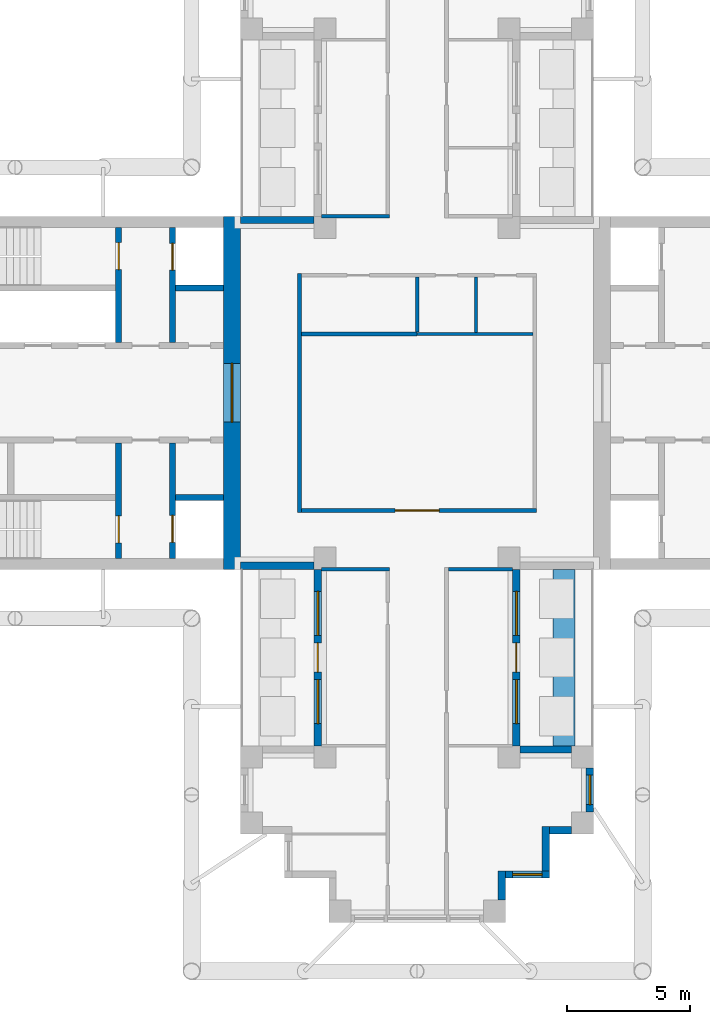
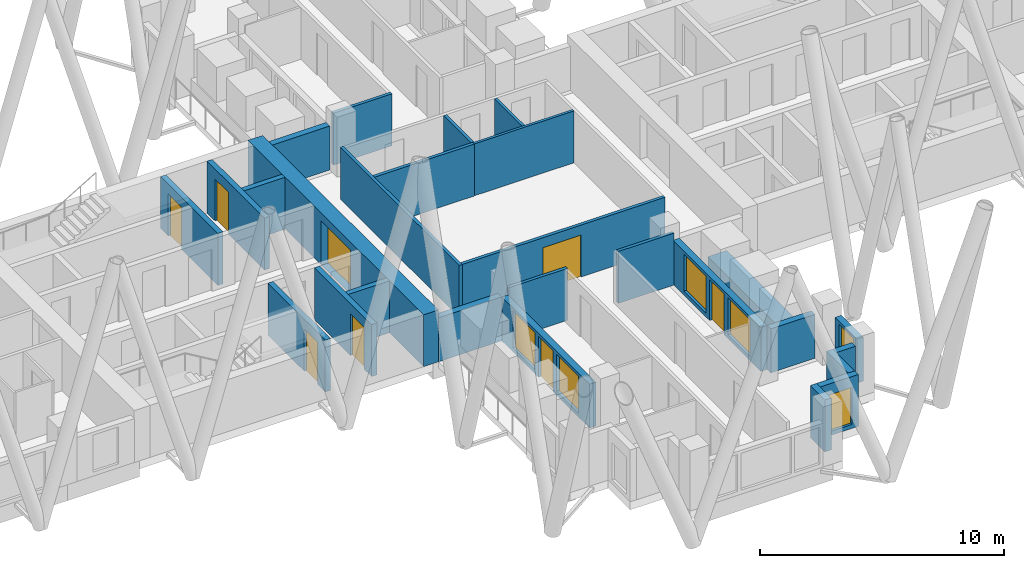
# One storey, part 5 of 12: 27 walls, 8 doors, 6 windows, 14 openings.
"""IFC4 building model written with IfcOpenShell, lengths in metres."""

from ifc_helpers import new_model, si_unit, direction, frame, frame_2d, origin, place, context, subcontext, project, spatial, rectangle, extrude, material, layer, layer_set, type_object, element, fill, save


model = new_model("IFC4")

# Units and contexts
model_context = context("Model", 3, precision=1e-05, world=origin(), true_north=direction((0.0, 1.0)))
body_context = subcontext(model_context, "Body", "Model", "MODEL_VIEW")
ifc_project = project(units=[si_unit("LENGTHUNIT", "METRE"), si_unit("AREAUNIT", "SQUARE_METRE"), si_unit("VOLUMEUNIT", "CUBIC_METRE"), si_unit("PLANEANGLEUNIT", "RADIAN"), si_unit("MASSUNIT", "GRAM", prefix="KILO")], contexts=[model_context])

# Site, building, storey
site_placement = place(None, origin())
site = spatial("IfcSite", under=ifc_project, at=site_placement, CompositionType="ELEMENT")
building_placement = place(site_placement, origin())
building = spatial("IfcBuilding", under=site, at=building_placement, Name="Fustian Cross Tower", CompositionType="ELEMENT")
storey_placement = place(building_placement, frame((0.0, 0.0, 141.300048828125)))
storey = spatial("IfcBuildingStorey", under=building, at=storey_placement, Name="L44", CompositionType="ELEMENT", Elevation=141.300048828125)

# Wall
ifc_material_1 = material(Name="Plasterboard on steel stud", Category="steel")
ifc_layer_1 = layer(ifc_material_1, 0.14990234375)
ifc_layer_set_1 = layer_set([ifc_layer_1], Name="Plasterboard on steel stud")
wall_type_1 = type_object("IfcWallType", Name="COMPARTMENT WALL 150 EI 60", PredefinedType="PARTITIONING", material=ifc_layer_set_1)
wall_1_placement = place(storey_placement, frame((-4.800048828125, -4.875, 0.0), z_axis=(0.0, 0.0, 1.0), x_axis=(0.0, 1.0, 0.0)))
element("IfcWall", 1, at=wall_1_placement, inside=storey, type_object=wall_type_1, Name="Partition 12", PredefinedType="PARTITIONING", context=body_context, shape_type="SweptSolid", body=[
    extrude(rectangle(XDim=9.75, YDim=0.14990234375, at=frame_2d((4.875, 0.0))), origin(), (0.0, 0.0, 1.0), 2.599853515625),
])

# Wall, opening, door
wall_2_placement = place(storey_placement, frame((-4.72509765625, -4.800048828125, 0.0), z_axis=(0.0, 0.0, 1.0), x_axis=(1.0, 0.0, 0.0)))
wall_2 = element("IfcWall", 2, at=wall_2_placement, inside=storey, type_object=wall_type_1, Name="Partition 13", PredefinedType="PARTITIONING", context=body_context, shape_type="SweptSolid", body=[
    extrude(rectangle(XDim=9.60009765625, YDim=0.14990234375, at=frame_2d((4.800048828125, 0.0))), origin(), (0.0, 0.0, 1.0), 2.599853515625),
])
opening_1_placement = place(wall_2_placement, frame((3.824951171875, 0.0, 0.0)))
opening_1 = element("IfcOpeningElement", 3, at=opening_1_placement, cuts=wall_2, Name="Opening D20004", PredefinedType="OPENING", context=body_context, shape_type="SweptSolid", body=[
    extrude(rectangle(XDim=1.800048828125, YDim=2.10009765625, at=frame_2d((0.89990234375, 1.050048828125))), frame((0.0, 0.0849609375, 0.0), z_axis=(0.0, -1.0, 0.0), x_axis=(1.0, 0.0, 0.0)), (0.0, 0.0, 1.0), 0.169921875),
])
ifc_material_2 = material(Name="Timber fire door set", Category="wood")
door_type_1 = type_object("IfcDoorType", Name="FIRE DOUBLE DOOR 1800 FD30S", OperationType="DOUBLE_DOOR_DOUBLE_SWING", PredefinedType="DOOR", material=ifc_material_2)
door_1_placement = place(opening_1_placement, frame((1.800048828125, 0.0, 0.0), z_axis=(0.0, 0.0, 1.0), x_axis=(-1.0, 0.0, 0.0)))
door_1 = element("IfcDoor", 4, at=door_1_placement, inside=storey, type_object=door_type_1, Name="Door D20004", OperationType="DOUBLE_DOOR_DOUBLE_SWING", OverallHeight=2.10009765625, OverallWidth=1.800048828125, PredefinedType="DOOR", context=body_context, shape_type="SweptSolid", body=[
    extrude(rectangle(XDim=1.800048828125, YDim=2.10009765625, at=frame_2d((0.89990234375, 1.050048828125))), frame((0.0, 0.02490234375, 0.0), z_axis=(0.0, -1.0, 0.0), x_axis=(1.0, 0.0, 0.0)), (0.0, 0.0, 1.0), 0.050048828125),
])
fill(opening_1, door_1)

# Walls
wall_3_placement = place(storey_placement, frame((-4.72509765625, 2.39990234375, 0.0), z_axis=(0.0, 0.0, 1.0), x_axis=(1.0, 0.0, 0.0)))
element("IfcWall", 5, at=wall_3_placement, inside=storey, type_object=wall_type_1, Name="Partition 14", PredefinedType="PARTITIONING", context=body_context, shape_type="SweptSolid", body=[
    extrude(rectangle(XDim=4.72509765625, YDim=0.14990234375, at=frame_2d((2.362548828125, 0.0))), origin(), (0.0, 0.0, 1.0), 2.599853515625),
])
for number, where, z_axis, x_axis, name in (
    (6, (-3.89990234375, -7.199951171875, 0.0), (0.0, 0.0, 1.0), (1.0, 0.0, 0.0), "Partition 17"),
    (7, (-3.89990234375, 7.199951171875, 0.0), (0.0, 0.0, 1.0), (1.0, 0.0, 0.0), "Partition 18"),
):
    element("IfcWall", number, at=place(storey_placement, frame(where, z_axis=z_axis, x_axis=x_axis)), inside=storey, type_object=wall_type_1, Name=name, PredefinedType="PARTITIONING", context=body_context, shape_type="SweptSolid", body=[
        extrude(rectangle(XDim=2.77490234375, YDim=0.14990234375, at=frame_2d((1.387451171875, 0.0))), origin(), (0.0, 0.0, 1.0), 2.599853515625),
    ])
wall_4_placement = place(storey_placement, frame((0.0, 2.47509765625, 0.0), z_axis=(0.0, 0.0, 1.0), x_axis=(0.0, 1.0, 0.0)))
element("IfcWall", 8, at=wall_4_placement, inside=storey, type_object=wall_type_1, Name="Partition 22", PredefinedType="PARTITIONING", context=body_context, shape_type="SweptSolid", body=[
    extrude(rectangle(XDim=2.25, YDim=0.14990234375, at=frame_2d((1.125, 0.0))), origin(), (0.0, 0.0, 1.0), 2.599853515625),
])
wall_5_placement = place(storey_placement, frame((1.27490234375, -7.199951171875, 0.0), z_axis=(0.0, 0.0, 1.0), x_axis=(1.0, 0.0, 0.0)))
element("IfcWall", 9, at=wall_5_placement, inside=storey, type_object=wall_type_1, Name="Partition 26", PredefinedType="PARTITIONING", context=body_context, shape_type="SweptSolid", body=[
    extrude(rectangle(XDim=2.625, YDim=0.14990234375, at=frame_2d((1.3125, 0.0))), origin(), (0.0, 0.0, 1.0), 2.599853515625),
])

# Wall, opening, door
ifc_material_3 = material(Name="Concrete C60/75", Category="concrete")
ifc_layer_2 = layer(ifc_material_3, 0.699951171875)
ifc_layer_set_2 = layer_set([ifc_layer_2], Name="Concrete C60/75")
wall_type_2 = type_object("IfcWallType", Name="CORE END WALL 700 C60/75", PredefinedType="SHEAR", material=ifc_layer_set_2)
wall_6_placement = place(storey_placement, frame((-7.550048828125, -7.199951171875, 0.0), z_axis=(0.0, 0.0, 1.0), x_axis=(0.0, 1.0, 0.0)))
wall_6 = element("IfcWall", 10, at=wall_6_placement, inside=storey, type_object=wall_type_2, Name="Core end wall", PredefinedType="SHEAR", context=body_context, shape_type="SweptSolid", body=[
    extrude(rectangle(XDim=14.39990234375, YDim=0.699951171875, at=frame_2d((7.199951171875, 0.0))), origin(), (0.0, 0.0, 1.0), 2.599853515625),
])
opening_2_placement = place(wall_6_placement, frame((6.0, 0.0, 0.0)))
opening_2 = element("IfcOpeningElement", 11, at=opening_2_placement, cuts=wall_6, Name="Opening CD-18-28", PredefinedType="OPENING", context=body_context, shape_type="SweptSolid", body=[
    extrude(rectangle(XDim=2.39990234375, YDim=2.199951171875, at=frame_2d((1.199951171875, 1.10009765625))), frame((0.0, 0.35986328125, 0.0), z_axis=(0.0, -1.0, 0.0), x_axis=(1.0, 0.0, 0.0)), (0.0, 0.0, 1.0), 0.719970703125),
])
ifc_material_4 = material(Name="Steel", Category="steel")
door_type_2 = type_object("IfcDoorType", Name="FIRE DOOR FD30S DOUBLE 2400X2200", OperationType="DOUBLE_DOOR_DOUBLE_SWING", PredefinedType="DOOR", material=ifc_material_4)
door_2_placement = place(opening_2_placement, origin())
door_2 = element("IfcDoor", 12, at=door_2_placement, inside=storey, type_object=door_type_2, Name="Core door CD-18-28", OperationType="DOUBLE_DOOR_DOUBLE_SWING", OverallHeight=2.199951171875, OverallWidth=2.39990234375, PredefinedType="DOOR", context=body_context, shape_type="SweptSolid", body=[
    extrude(rectangle(XDim=2.39990234375, YDim=2.199951171875, at=frame_2d((1.199951171875, 1.10009765625))), frame((0.0, 0.02490234375, 0.0), z_axis=(0.0, -1.0, 0.0), x_axis=(1.0, 0.0, 0.0)), (0.0, 0.0, 1.0), 0.050048828125),
])
fill(opening_2, door_2)

# Wall
ifc_material_5 = material(Name="Concrete C50/60", Category="concrete")
ifc_layer_3 = layer(ifc_material_5, 0.25)
ifc_layer_set_3 = layer_set([ifc_layer_3], Name="Concrete C50/60")
wall_type_3 = type_object("IfcWallType", Name="CORE SHAFT WALL 250 C50/60", PredefinedType="SHEAR", material=ifc_layer_set_3)
wall_7_placement = place(storey_placement, frame((-7.89990234375, 4.27490234375, 0.0), z_axis=(0.0, 0.0, 1.0), x_axis=(-1.0, 0.0, 0.0)))
element("IfcWall", 13, at=wall_7_placement, inside=storey, type_object=wall_type_3, Name="Core shaft wall", PredefinedType="SHEAR", context=body_context, shape_type="SweptSolid", body=[
    extrude(rectangle(XDim=1.9501953125, YDim=0.25, at=frame_2d((0.97509765625, 0.0))), origin(), (0.0, 0.0, 1.0), 2.599853515625),
])

# Wall, opening, door
wall_8_placement = place(storey_placement, frame((-9.97509765625, 2.050048828125, 0.0), z_axis=(0.0, 0.0, 1.0), x_axis=(0.0, 1.0, 0.0)))
wall_8 = element("IfcWall", 14, at=wall_8_placement, inside=storey, type_object=wall_type_3, Name="Core shaft wall", PredefinedType="SHEAR", context=body_context, shape_type="SweptSolid", body=[
    extrude(rectangle(XDim=4.699951171875, YDim=0.25, at=frame_2d((2.35009765625, 0.0))), origin(), (0.0, 0.0, 1.0), 2.599853515625),
])
opening_3_placement = place(wall_8_placement, frame((2.949951171875, 0.0, 0.0)))
opening_3 = element("IfcOpeningElement", 15, at=opening_3_placement, cuts=wall_8, Name="Opening LD", PredefinedType="OPENING", context=body_context, shape_type="SweptSolid", body=[
    extrude(rectangle(XDim=1.10009765625, YDim=2.10009765625, at=frame_2d((0.550048828125, 1.050048828125))), frame((0.0, 0.135009765625, 0.0), z_axis=(0.0, -1.0, 0.0), x_axis=(1.0, 0.0, 0.0)), (0.0, 0.0, 1.0), 0.27001953125),
])
ifc_material_6 = material(Name="Stainless steel", Category="steel")
door_type_3 = type_object("IfcDoorType", Name="LIFT LANDING DOOR 1100X2100", OperationType="SLIDING_TO_LEFT", PredefinedType="DOOR", material=ifc_material_6)
door_3_placement = place(opening_3_placement, origin())
door_3 = element("IfcDoor", 16, at=door_3_placement, inside=storey, type_object=door_type_3, Name="Landing door FL1W", OperationType="SLIDING_TO_LEFT", OverallHeight=2.10009765625, OverallWidth=1.10009765625, PredefinedType="DOOR", context=body_context, shape_type="SweptSolid", body=[
    extrude(rectangle(XDim=1.10009765625, YDim=2.10009765625, at=frame_2d((0.550048828125, 1.050048828125))), frame((0.0, 0.02490234375, 0.0), z_axis=(0.0, -1.0, 0.0), x_axis=(1.0, 0.0, 0.0)), (0.0, 0.0, 1.0), 0.050048828125),
])
fill(opening_3, door_3)

wall_9_placement = place(storey_placement, frame((-12.175048828125, 2.050048828125, 0.0), z_axis=(0.0, 0.0, 1.0), x_axis=(0.0, 1.0, 0.0)))
wall_9 = element("IfcWall", 17, at=wall_9_placement, inside=storey, type_object=wall_type_3, Name="Core shaft wall", PredefinedType="SHEAR", context=body_context, shape_type="SweptSolid", body=[
    extrude(rectangle(XDim=4.699951171875, YDim=0.25, at=frame_2d((2.35009765625, 0.0))), origin(), (0.0, 0.0, 1.0), 2.599853515625),
])
opening_4_placement = place(wall_9_placement, frame((2.97509765625, 0.0, 0.0)))
opening_4 = element("IfcOpeningElement", 18, at=opening_4_placement, cuts=wall_9, Name="Opening CD-18-22", PredefinedType="OPENING", context=body_context, shape_type="SweptSolid", body=[
    extrude(rectangle(XDim=1.10009765625, YDim=2.10009765625, at=frame_2d((0.550048828125, 1.050048828125))), frame((0.0, 0.135009765625, 0.0), z_axis=(0.0, -1.0, 0.0), x_axis=(1.0, 0.0, 0.0)), (0.0, 0.0, 1.0), 0.27001953125),
])
ifc_material_7 = material(Name="Steel", Category="steel")
door_type_4 = type_object("IfcDoorType", Name="FIRE DOOR FD60S 1100X2100", OperationType="SINGLE_SWING_LEFT", PredefinedType="DOOR", material=ifc_material_7)
door_4_placement = place(opening_4_placement, origin())
door_4 = element("IfcDoor", 19, at=door_4_placement, inside=storey, type_object=door_type_4, Name="Core door CD-18-22", OperationType="SINGLE_SWING_LEFT", OverallHeight=2.10009765625, OverallWidth=1.10009765625, PredefinedType="DOOR", context=body_context, shape_type="SweptSolid", body=[
    extrude(rectangle(XDim=1.10009765625, YDim=2.10009765625, at=frame_2d((0.550048828125, 1.050048828125))), frame((0.0, 0.02490234375, 0.0), z_axis=(0.0, -1.0, 0.0), x_axis=(1.0, 0.0, 0.0)), (0.0, 0.0, 1.0), 0.050048828125),
])
fill(opening_4, door_4)

# Wall
wall_10_placement = place(storey_placement, frame((-7.89990234375, -4.27490234375, 0.0), z_axis=(0.0, 0.0, 1.0), x_axis=(-1.0, 0.0, 0.0)))
element("IfcWall", 20, at=wall_10_placement, inside=storey, type_object=wall_type_3, Name="Core shaft wall", PredefinedType="SHEAR", context=body_context, shape_type="SweptSolid", body=[
    extrude(rectangle(XDim=1.9501953125, YDim=0.25, at=frame_2d((0.97509765625, 0.0))), origin(), (0.0, 0.0, 1.0), 2.599853515625),
])

# Wall, opening, door
wall_11_placement = place(storey_placement, frame((-9.97509765625, -2.050048828125, 0.0), z_axis=(0.0, 0.0, 1.0), x_axis=(0.0, -1.0, 0.0)))
wall_11 = element("IfcWall", 21, at=wall_11_placement, inside=storey, type_object=wall_type_3, Name="Core shaft wall", PredefinedType="SHEAR", context=body_context, shape_type="SweptSolid", body=[
    extrude(rectangle(XDim=4.699951171875, YDim=0.25, at=frame_2d((2.35009765625, 0.0))), origin(), (0.0, 0.0, 1.0), 2.599853515625),
])
opening_5_placement = place(wall_11_placement, frame((2.949951171875, 0.0, 0.0)))
opening_5 = element("IfcOpeningElement", 22, at=opening_5_placement, cuts=wall_11, Name="Opening LD", PredefinedType="OPENING", context=body_context, shape_type="SweptSolid", body=[
    extrude(rectangle(XDim=1.10009765625, YDim=2.10009765625, at=frame_2d((0.550048828125, 1.050048828125))), frame((0.0, 0.135009765625, 0.0), z_axis=(0.0, -1.0, 0.0), x_axis=(1.0, 0.0, 0.0)), (0.0, 0.0, 1.0), 0.27001953125),
])
door_5_placement = place(opening_5_placement, origin())
door_5 = element("IfcDoor", 23, at=door_5_placement, inside=storey, type_object=door_type_3, Name="Landing door SV1W", OperationType="SLIDING_TO_LEFT", OverallHeight=2.10009765625, OverallWidth=1.10009765625, PredefinedType="DOOR", context=body_context, shape_type="SweptSolid", body=[
    extrude(rectangle(XDim=1.10009765625, YDim=2.10009765625, at=frame_2d((0.550048828125, 1.050048828125))), frame((0.0, 0.02490234375, 0.0), z_axis=(0.0, -1.0, 0.0), x_axis=(1.0, 0.0, 0.0)), (0.0, 0.0, 1.0), 0.050048828125),
])
fill(opening_5, door_5)

wall_12_placement = place(storey_placement, frame((-12.175048828125, -2.050048828125, 0.0), z_axis=(0.0, 0.0, 1.0), x_axis=(0.0, -1.0, 0.0)))
wall_12 = element("IfcWall", 24, at=wall_12_placement, inside=storey, type_object=wall_type_3, Name="Core shaft wall", PredefinedType="SHEAR", context=body_context, shape_type="SweptSolid", body=[
    extrude(rectangle(XDim=4.699951171875, YDim=0.25, at=frame_2d((2.35009765625, 0.0))), origin(), (0.0, 0.0, 1.0), 2.599853515625),
])
opening_6_placement = place(wall_12_placement, frame((2.97509765625, 0.0, 0.0)))
opening_6 = element("IfcOpeningElement", 25, at=opening_6_placement, cuts=wall_12, Name="Opening CD-18-23", PredefinedType="OPENING", context=body_context, shape_type="SweptSolid", body=[
    extrude(rectangle(XDim=1.10009765625, YDim=2.10009765625, at=frame_2d((0.550048828125, 1.050048828125))), frame((0.0, 0.135009765625, 0.0), z_axis=(0.0, -1.0, 0.0), x_axis=(1.0, 0.0, 0.0)), (0.0, 0.0, 1.0), 0.27001953125),
])
door_6_placement = place(opening_6_placement, frame((1.10009765625, 0.0, 0.0), z_axis=(0.0, 0.0, 1.0), x_axis=(-1.0, 0.0, 0.0)))
door_6 = element("IfcDoor", 26, at=door_6_placement, inside=storey, type_object=door_type_4, Name="Core door CD-18-23", OperationType="SINGLE_SWING_RIGHT", OverallHeight=2.10009765625, OverallWidth=1.10009765625, PredefinedType="DOOR", context=body_context, shape_type="SweptSolid", body=[
    extrude(rectangle(XDim=1.10009765625, YDim=2.10009765625, at=frame_2d((0.550048828125, 1.050048828125))), frame((0.0, 0.02490234375, 0.0), z_axis=(0.0, -1.0, 0.0), x_axis=(1.0, 0.0, 0.0)), (0.0, 0.0, 1.0), 0.050048828125),
])
fill(opening_6, door_6)

# Walls
ifc_material_8 = material(Name="Concrete C40/50", Category="concrete")
ifc_layer_4 = layer(ifc_material_8, 0.89990234375)
ifc_layer_set_4 = layer_set([ifc_layer_4], Name="Concrete C40/50")
wall_type_4 = type_object("IfcWallType", Name="PK1 PLANTER 900", PredefinedType="PARAPET", material=ifc_layer_set_4)
wall_13_placement = place(storey_placement, frame((6.0, -14.39990234375, 0.0), z_axis=(0.0, 0.0, 1.0), x_axis=(0.0, 1.0, 0.0)))
element("IfcWall", 27, at=wall_13_placement, inside=storey, type_object=wall_type_4, Name="PLANTER", PredefinedType="PARAPET", context=body_context, shape_type="SweptSolid", body=[
    extrude(rectangle(XDim=7.199951171875, YDim=0.89990234375, at=frame_2d((3.60009765625, 0.0))), origin(), (0.0, 0.0, 1.0), 0.800048828125),
])
ifc_material_9 = material(Name="Plasterboard on steel stud", Category="steel")
ifc_layer_5 = layer(ifc_material_9, 0.125)
ifc_layer_set_5 = layer_set([ifc_layer_5], Name="Plasterboard on steel stud")
wall_type_5 = type_object("IfcWallType", Name="WET WALL 125 STUD", PredefinedType="PARTITIONING", material=ifc_layer_set_5)
wall_14_placement = place(storey_placement, frame((0.0, 2.39990234375, 0.0), z_axis=(0.0, 0.0, 1.0), x_axis=(1.0, 0.0, 0.0)))
element("IfcWall", 28, at=wall_14_placement, inside=storey, type_object=wall_type_5, Name="Partition 23", PredefinedType="PARTITIONING", context=body_context, shape_type="SweptSolid", body=[
    extrude(rectangle(XDim=4.72509765625, YDim=0.125, at=frame_2d((2.362548828125, 0.0))), origin(), (0.0, 0.0, 1.0), 2.599853515625),
])
wall_15_placement = place(storey_placement, frame((2.39990234375, 2.46240234375, 0.0), z_axis=(0.0, 0.0, 1.0), x_axis=(0.0, 1.0, 0.0)))
element("IfcWall", 29, at=wall_15_placement, inside=storey, type_object=wall_type_5, Name="Partition 33", PredefinedType="PARTITIONING", context=body_context, shape_type="SweptSolid", body=[
    extrude(rectangle(XDim=2.2626953125, YDim=0.125, at=frame_2d((1.13134765625, 0.0))), origin(), (0.0, 0.0, 1.0), 2.599853515625),
])
ifc_material_10 = material(Name="Dark aluminium cladding on insulated backing wall", Category="aluminium")
ifc_layer_6 = layer(ifc_material_10, 0.300048828125)
ifc_layer_set_6 = layer_set([ifc_layer_6], Name="Dark aluminium cladding on insulated backing wall")
wall_type_6 = type_object("IfcWallType", Name="XW1 EXTERNAL WALL 300", PredefinedType="SOLIDWALL", material=ifc_layer_set_6)
for number, where, z_axis, x_axis, name in (
    (30, (-4.199951171875, 7.050048828125, 0.0), (0.0, 0.0, 1.0), (-1.0, 0.0, 0.0), "External wall"),
    (31, (-7.199951171875, -7.050048828125, 0.0), (0.0, 0.0, 1.0), (1.0, 0.0, 0.0), "External wall"),
):
    element("IfcWall", number, at=place(storey_placement, frame(where, z_axis=z_axis, x_axis=x_axis)), inside=storey, type_object=wall_type_6, Name=name, PredefinedType="SOLIDWALL", context=body_context, shape_type="SweptSolid", body=[
        extrude(rectangle(XDim=3.0, YDim=0.300048828125, at=frame_2d((1.5, 0.0))), origin(), (0.0, 0.0, 1.0), 2.199951171875),
    ])

# Wall, openings, door, windows
wall_16_placement = place(storey_placement, frame((-4.050048828125, -7.199951171875, 0.0), z_axis=(0.0, 0.0, 1.0), x_axis=(0.0, -1.0, 0.0)))
wall_16 = element("IfcWall", 32, at=wall_16_placement, inside=storey, type_object=wall_type_6, Name="External wall", PredefinedType="SOLIDWALL", context=body_context, shape_type="SweptSolid", body=[
    extrude(rectangle(XDim=7.199951171875, YDim=0.300048828125, at=frame_2d((3.60009765625, 0.0))), origin(), (0.0, 0.0, 1.0), 2.199951171875),
])
opening_7_placement = place(wall_16_placement, frame((3.0, 0.0, 0.0)))
opening_7 = element("IfcOpeningElement", 33, at=opening_7_placement, cuts=wall_16, Name="Opening XD4", PredefinedType="OPENING", context=body_context, shape_type="SweptSolid", body=[
    extrude(rectangle(XDim=1.199951171875, YDim=2.050048828125, at=frame_2d((0.60009765625, 1.02490234375))), frame((0.0, 0.159912109375, 0.0), z_axis=(0.0, -1.0, 0.0), x_axis=(1.0, 0.0, 0.0)), (0.0, 0.0, 1.0), 0.320068359375),
])
opening_8_placement = place(wall_16_placement, frame((0.89990234375, 0.0, 0.199951171875)))
opening_8 = element("IfcOpeningElement", 34, at=opening_8_placement, cuts=wall_16, Name="Opening WN2", PredefinedType="OPENING", context=body_context, shape_type="SweptSolid", body=[
    extrude(rectangle(XDim=1.800048828125, YDim=1.85009765625, at=frame_2d((0.89990234375, 0.925048828125))), frame((0.0, 0.159912109375, 0.0), z_axis=(0.0, -1.0, 0.0), x_axis=(1.0, 0.0, 0.0)), (0.0, 0.0, 1.0), 0.320068359375),
])
opening_9_placement = place(wall_16_placement, frame((4.5, 0.0, 0.199951171875)))
opening_9 = element("IfcOpeningElement", 35, at=opening_9_placement, cuts=wall_16, Name="Opening WN2", PredefinedType="OPENING", context=body_context, shape_type="SweptSolid", body=[
    extrude(rectangle(XDim=1.800048828125, YDim=1.85009765625, at=frame_2d((0.89990234375, 0.925048828125))), frame((0.0, 0.159912109375, 0.0), z_axis=(0.0, -1.0, 0.0), x_axis=(1.0, 0.0, 0.0)), (0.0, 0.0, 1.0), 0.320068359375),
])
ifc_material_11 = material(Name="Dark anodised aluminium and double glazing", Category="aluminium")
door_type_5 = type_object("IfcDoorType", Name="ED1 BALCONY DOOR 1200X2050", OperationType="SINGLE_SWING_LEFT", PredefinedType="DOOR", material=ifc_material_11)
door_7_placement = place(opening_7_placement, origin())
door_7 = element("IfcDoor", 36, at=door_7_placement, inside=storey, type_object=door_type_5, Name="Balcony door", OperationType="SINGLE_SWING_LEFT", OverallHeight=2.050048828125, OverallWidth=1.199951171875, PredefinedType="DOOR", context=body_context, shape_type="SweptSolid", body=[
    extrude(rectangle(XDim=1.199951171875, YDim=2.050048828125, at=frame_2d((0.60009765625, 1.02490234375))), frame((0.0, 0.02490234375, 0.0), z_axis=(0.0, -1.0, 0.0), x_axis=(1.0, 0.0, 0.0)), (0.0, 0.0, 1.0), 0.050048828125),
])
fill(opening_7, door_7)
ifc_material_12 = material(Name="Dark anodised aluminium and double glazing", Category="aluminium")
window_type_1 = type_object("IfcWindowType", Name="WN2 WINDOW 1800X1850", PartitioningType="SINGLE_PANEL", PredefinedType="WINDOW", material=ifc_material_12)
window_1_placement = place(opening_8_placement, origin())
window_1 = element("IfcWindow", 37, at=window_1_placement, inside=storey, type_object=window_type_1, Name="Window", OverallHeight=1.85009765625, OverallWidth=1.800048828125, PartitioningType="SINGLE_PANEL", PredefinedType="WINDOW", context=body_context, shape_type="SweptSolid", body=[
    extrude(rectangle(XDim=1.800048828125, YDim=1.85009765625, at=frame_2d((0.89990234375, 0.925048828125))), frame((0.0, 0.030029296875, 0.0), z_axis=(0.0, -1.0, 0.0), x_axis=(1.0, 0.0, 0.0)), (0.0, 0.0, 1.0), 0.06005859375),
])
fill(opening_8, window_1)
window_2_placement = place(opening_9_placement, origin())
window_2 = element("IfcWindow", 38, at=window_2_placement, inside=storey, type_object=window_type_1, Name="Window", OverallHeight=1.85009765625, OverallWidth=1.800048828125, PartitioningType="SINGLE_PANEL", PredefinedType="WINDOW", context=body_context, shape_type="SweptSolid", body=[
    extrude(rectangle(XDim=1.800048828125, YDim=1.85009765625, at=frame_2d((0.89990234375, 0.925048828125))), frame((0.0, 0.030029296875, 0.0), z_axis=(0.0, -1.0, 0.0), x_axis=(1.0, 0.0, 0.0)), (0.0, 0.0, 1.0), 0.06005859375),
])
fill(opening_9, window_2)

# Wall
wall_17_placement = place(storey_placement, frame((3.449951171875, -20.699951171875, 0.0), z_axis=(0.0, 0.0, 1.0), x_axis=(0.0, 1.0, 0.0)))
element("IfcWall", 39, at=wall_17_placement, inside=storey, type_object=wall_type_6, Name="External wall", PredefinedType="SOLIDWALL", context=body_context, shape_type="SweptSolid", body=[
    extrude(rectangle(XDim=1.199951171875, YDim=0.300048828125, at=frame_2d((0.60009765625, 0.0))), origin(), (0.0, 0.0, 1.0), 2.599853515625),
])

# Wall, opening, window
wall_18_placement = place(storey_placement, frame((3.60009765625, -19.64990234375, 0.0), z_axis=(0.0, 0.0, 1.0), x_axis=(1.0, 0.0, 0.0)))
wall_18 = element("IfcWall", 40, at=wall_18_placement, inside=storey, type_object=wall_type_6, Name="External wall", PredefinedType="SOLIDWALL", context=body_context, shape_type="SweptSolid", body=[
    extrude(rectangle(XDim=1.7998046875, YDim=0.300048828125, at=frame_2d((0.89990234375, 0.0))), origin(), (0.0, 0.0, 1.0), 2.599853515625),
])
opening_10_placement = place(wall_18_placement, frame((0.300048828125, 0.0, 0.199951171875)))
opening_10 = element("IfcOpeningElement", 41, at=opening_10_placement, cuts=wall_18, Name="Opening WN3", PredefinedType="OPENING", context=body_context, shape_type="SweptSolid", body=[
    extrude(rectangle(XDim=1.199951171875, YDim=1.85009765625, at=frame_2d((0.60009765625, 0.925048828125))), frame((0.0, 0.159912109375, 0.0), z_axis=(0.0, -1.0, 0.0), x_axis=(1.0, 0.0, 0.0)), (0.0, 0.0, 1.0), 0.320068359375),
])
ifc_material_13 = material(Name="Dark anodised aluminium and double glazing", Category="aluminium")
window_type_2 = type_object("IfcWindowType", Name="WN3 WINDOW 1200X1850", PartitioningType="SINGLE_PANEL", PredefinedType="WINDOW", material=ifc_material_13)
window_3_placement = place(opening_10_placement, origin())
window_3 = element("IfcWindow", 42, at=window_3_placement, inside=storey, type_object=window_type_2, Name="Window", OverallHeight=1.85009765625, OverallWidth=1.199951171875, PartitioningType="SINGLE_PANEL", PredefinedType="WINDOW", context=body_context, shape_type="SweptSolid", body=[
    extrude(rectangle(XDim=1.199951171875, YDim=1.85009765625, at=frame_2d((0.60009765625, 0.925048828125))), frame((0.0, 0.030029296875, 0.0), z_axis=(0.0, -1.0, 0.0), x_axis=(1.0, 0.0, 0.0)), (0.0, 0.0, 1.0), 0.06005859375),
])
fill(opening_10, window_3)

# Walls
wall_19_placement = place(storey_placement, frame((5.25, -19.5, 0.0), z_axis=(0.0, 0.0, 1.0), x_axis=(0.0, 1.0, 0.0)))
element("IfcWall", 43, at=wall_19_placement, inside=storey, type_object=wall_type_6, Name="External wall", PredefinedType="SOLIDWALL", context=body_context, shape_type="SweptSolid", body=[
    extrude(rectangle(XDim=1.800048828125, YDim=0.300048828125, at=frame_2d((0.89990234375, 0.0))), origin(), (0.0, 0.0, 1.0), 2.599853515625),
])
wall_20_placement = place(storey_placement, frame((5.39990234375, -17.85009765625, 0.0), z_axis=(0.0, 0.0, 1.0), x_axis=(1.0, 0.0, 0.0)))
element("IfcWall", 44, at=wall_20_placement, inside=storey, type_object=wall_type_6, Name="External wall", PredefinedType="SOLIDWALL", context=body_context, shape_type="SweptSolid", body=[
    extrude(rectangle(XDim=0.900146484375, YDim=0.300048828125, at=frame_2d((0.4501953125, 0.0))), origin(), (0.0, 0.0, 1.0), 2.599853515625),
])

# Wall, opening, window
wall_21_placement = place(storey_placement, frame((7.050048828125, -17.10009765625, 0.0), z_axis=(0.0, 0.0, 1.0), x_axis=(0.0, 1.0, 0.0)))
wall_21 = element("IfcWall", 45, at=wall_21_placement, inside=storey, type_object=wall_type_6, Name="External wall", PredefinedType="SOLIDWALL", context=body_context, shape_type="SweptSolid", body=[
    extrude(rectangle(XDim=1.800048828125, YDim=0.300048828125, at=frame_2d((0.89990234375, 0.0))), origin(), (0.0, 0.0, 1.0), 2.199951171875),
])
opening_11_placement = place(wall_21_placement, frame((0.300048828125, 0.0, 0.199951171875)))
opening_11 = element("IfcOpeningElement", 46, at=opening_11_placement, cuts=wall_21, Name="Opening WN3", PredefinedType="OPENING", context=body_context, shape_type="SweptSolid", body=[
    extrude(rectangle(XDim=1.199951171875, YDim=1.85009765625, at=frame_2d((0.60009765625, 0.925048828125))), frame((0.0, 0.159912109375, 0.0), z_axis=(0.0, -1.0, 0.0), x_axis=(1.0, 0.0, 0.0)), (0.0, 0.0, 1.0), 0.320068359375),
])
window_4_placement = place(opening_11_placement, origin())
window_4 = element("IfcWindow", 47, at=window_4_placement, inside=storey, type_object=window_type_2, Name="Window", OverallHeight=1.85009765625, OverallWidth=1.199951171875, PartitioningType="SINGLE_PANEL", PredefinedType="WINDOW", context=body_context, shape_type="SweptSolid", body=[
    extrude(rectangle(XDim=1.199951171875, YDim=1.85009765625, at=frame_2d((0.60009765625, 0.925048828125))), frame((0.0, 0.030029296875, 0.0), z_axis=(0.0, -1.0, 0.0), x_axis=(1.0, 0.0, 0.0)), (0.0, 0.0, 1.0), 0.06005859375),
])
fill(opening_11, window_4)

# Wall
wall_22_placement = place(storey_placement, frame((6.300048828125, -14.550048828125, 0.0), z_axis=(0.0, 0.0, 1.0), x_axis=(-1.0, 0.0, 0.0)))
element("IfcWall", 48, at=wall_22_placement, inside=storey, type_object=wall_type_6, Name="External wall", PredefinedType="SOLIDWALL", context=body_context, shape_type="SweptSolid", body=[
    extrude(rectangle(XDim=2.10009765625, YDim=0.300048828125, at=frame_2d((1.050048828125, 0.0))), origin(), (0.0, 0.0, 1.0), 2.199951171875),
])

# Wall, openings, door, windows
wall_23_placement = place(storey_placement, frame((4.050048828125, -14.39990234375, 0.0), z_axis=(0.0, 0.0, 1.0), x_axis=(0.0, 1.0, 0.0)))
wall_23 = element("IfcWall", 49, at=wall_23_placement, inside=storey, type_object=wall_type_6, Name="External wall", PredefinedType="SOLIDWALL", context=body_context, shape_type="SweptSolid", body=[
    extrude(rectangle(XDim=7.199951171875, YDim=0.300048828125, at=frame_2d((3.60009765625, 0.0))), origin(), (0.0, 0.0, 1.0), 2.199951171875),
])
opening_12_placement = place(wall_23_placement, frame((3.0, 0.0, 0.0)))
opening_12 = element("IfcOpeningElement", 50, at=opening_12_placement, cuts=wall_23, Name="Opening XD3", PredefinedType="OPENING", context=body_context, shape_type="SweptSolid", body=[
    extrude(rectangle(XDim=1.199951171875, YDim=2.050048828125, at=frame_2d((0.60009765625, 1.02490234375))), frame((0.0, 0.159912109375, 0.0), z_axis=(0.0, -1.0, 0.0), x_axis=(1.0, 0.0, 0.0)), (0.0, 0.0, 1.0), 0.320068359375),
])
opening_13_placement = place(wall_23_placement, frame((0.89990234375, 0.0, 0.199951171875)))
opening_13 = element("IfcOpeningElement", 51, at=opening_13_placement, cuts=wall_23, Name="Opening WN2", PredefinedType="OPENING", context=body_context, shape_type="SweptSolid", body=[
    extrude(rectangle(XDim=1.800048828125, YDim=1.85009765625, at=frame_2d((0.89990234375, 0.925048828125))), frame((0.0, 0.159912109375, 0.0), z_axis=(0.0, -1.0, 0.0), x_axis=(1.0, 0.0, 0.0)), (0.0, 0.0, 1.0), 0.320068359375),
])
opening_14_placement = place(wall_23_placement, frame((4.5, 0.0, 0.199951171875)))
opening_14 = element("IfcOpeningElement", 52, at=opening_14_placement, cuts=wall_23, Name="Opening WN2", PredefinedType="OPENING", context=body_context, shape_type="SweptSolid", body=[
    extrude(rectangle(XDim=1.800048828125, YDim=1.85009765625, at=frame_2d((0.89990234375, 0.925048828125))), frame((0.0, 0.159912109375, 0.0), z_axis=(0.0, -1.0, 0.0), x_axis=(1.0, 0.0, 0.0)), (0.0, 0.0, 1.0), 0.320068359375),
])
door_8_placement = place(opening_12_placement, origin())
door_8 = element("IfcDoor", 53, at=door_8_placement, inside=storey, type_object=door_type_5, Name="Balcony door", OperationType="SINGLE_SWING_LEFT", OverallHeight=2.050048828125, OverallWidth=1.199951171875, PredefinedType="DOOR", context=body_context, shape_type="SweptSolid", body=[
    extrude(rectangle(XDim=1.199951171875, YDim=2.050048828125, at=frame_2d((0.60009765625, 1.02490234375))), frame((0.0, 0.02490234375, 0.0), z_axis=(0.0, -1.0, 0.0), x_axis=(1.0, 0.0, 0.0)), (0.0, 0.0, 1.0), 0.050048828125),
])
fill(opening_12, door_8)
window_5_placement = place(opening_13_placement, origin())
window_5 = element("IfcWindow", 54, at=window_5_placement, inside=storey, type_object=window_type_1, Name="Window", OverallHeight=1.85009765625, OverallWidth=1.800048828125, PartitioningType="SINGLE_PANEL", PredefinedType="WINDOW", context=body_context, shape_type="SweptSolid", body=[
    extrude(rectangle(XDim=1.800048828125, YDim=1.85009765625, at=frame_2d((0.89990234375, 0.925048828125))), frame((0.0, 0.030029296875, 0.0), z_axis=(0.0, -1.0, 0.0), x_axis=(1.0, 0.0, 0.0)), (0.0, 0.0, 1.0), 0.06005859375),
])
fill(opening_13, window_5)
window_6_placement = place(opening_14_placement, origin())
window_6 = element("IfcWindow", 55, at=window_6_placement, inside=storey, type_object=window_type_1, Name="Window", OverallHeight=1.85009765625, OverallWidth=1.800048828125, PartitioningType="SINGLE_PANEL", PredefinedType="WINDOW", context=body_context, shape_type="SweptSolid", body=[
    extrude(rectangle(XDim=1.800048828125, YDim=1.85009765625, at=frame_2d((0.89990234375, 0.925048828125))), frame((0.0, 0.030029296875, 0.0), z_axis=(0.0, -1.0, 0.0), x_axis=(1.0, 0.0, 0.0)), (0.0, 0.0, 1.0), 0.06005859375),
])
fill(opening_14, window_6)

save(model, "model.ifc")
